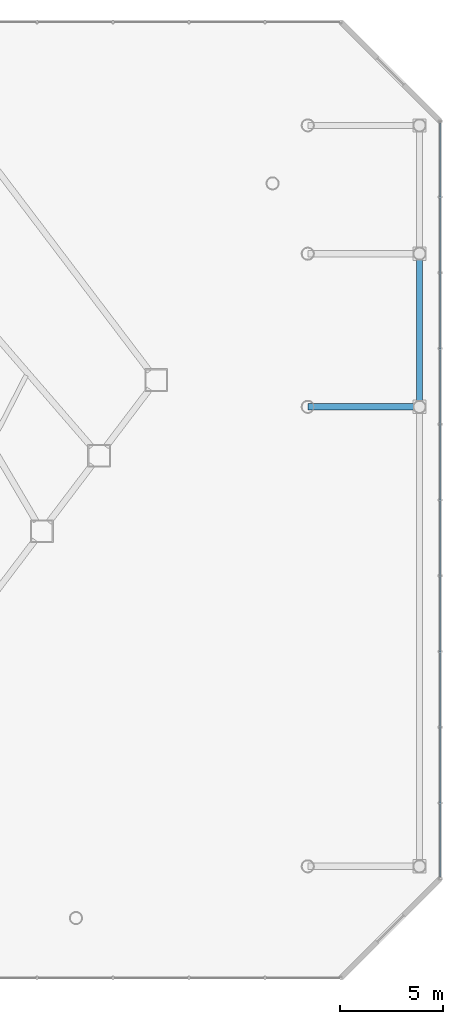
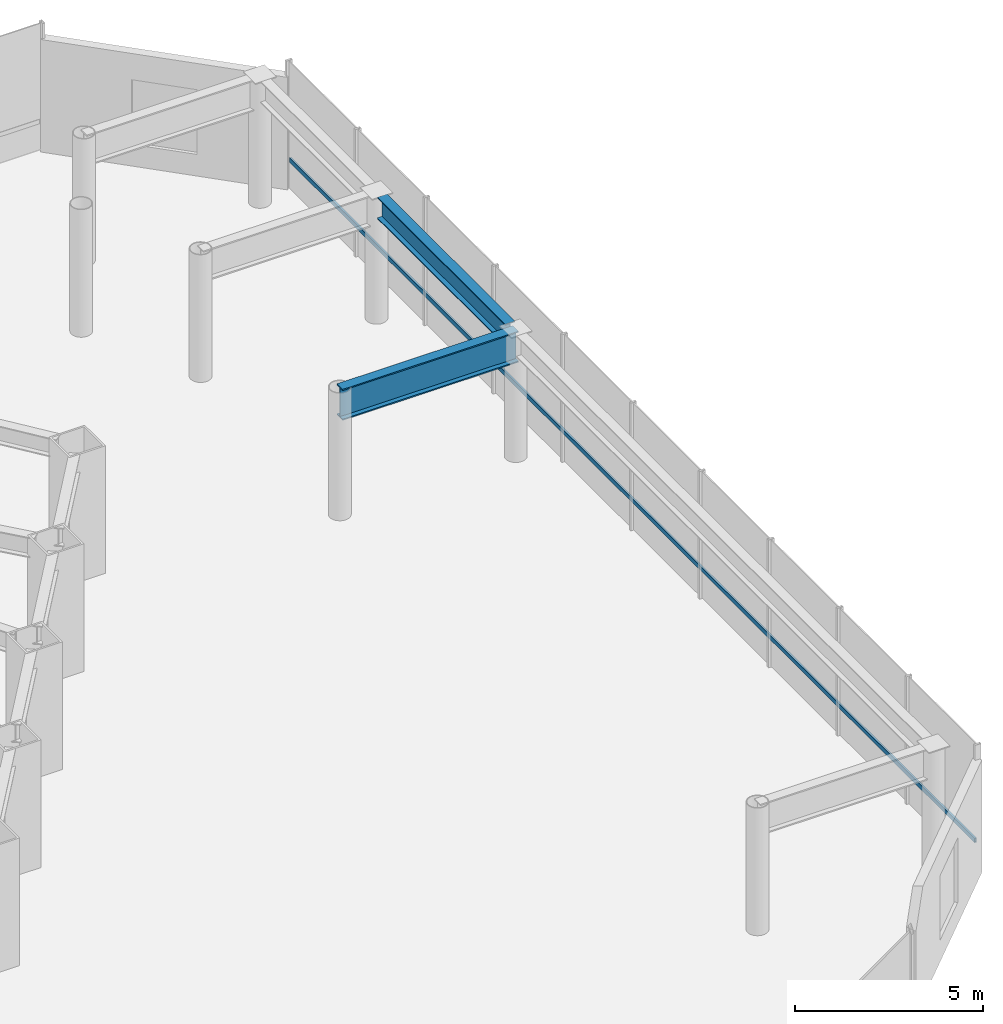
# One storey, part 29 of 37: 2 beams, 1 member, 1 element without a shape of its own.
"""IFC4 building model written with IfcOpenShell, lengths in metres."""

from ifc_helpers import new_model, si_unit, direction, frame, origin, origin_2d, place, context, subcontext, project, spatial, hollow_rectangle, i_section, extrude, material, layer, layer_set, material_profile, profile_set, type_object, element, aggregate, save


model = new_model("IFC4")

# Units and contexts
model_context = context("Model", 3, precision=1e-05, world=origin(), true_north=direction((0.0, 1.0)))
body_context = subcontext(model_context, "Body", "Model", "MODEL_VIEW")
ifc_project = project(units=[si_unit("LENGTHUNIT", "METRE"), si_unit("AREAUNIT", "SQUARE_METRE"), si_unit("VOLUMEUNIT", "CUBIC_METRE"), si_unit("PLANEANGLEUNIT", "RADIAN"), si_unit("MASSUNIT", "GRAM", prefix="KILO")], contexts=[model_context])

# Site, building, storey
site_placement = place(None, origin())
site = spatial("IfcSite", under=ifc_project, at=site_placement, CompositionType="ELEMENT")
building_placement = place(site_placement, origin())
building = spatial("IfcBuilding", under=site, at=building_placement, Name="Zarrinselat Tower", CompositionType="ELEMENT")
storey_placement = place(building_placement, frame((0.0, 0.0, 13.93994140625)))
storey = spatial("IfcBuildingStorey", under=building, at=storey_placement, Name="L03", CompositionType="ELEMENT", Elevation=13.93994140625)

# Beams
ifc_material_1 = material(Name="Steel S355J2", Category="steel")
ifc_material_profile_1 = material_profile(ifc_material_1, i_section(OverallWidth=0.300048828125, OverallDepth=0.699951171875, WebThickness=0.01708984375, FlangeThickness=0.031982421875, at=origin_2d()), Name="HEB 700")
ifc_profile_set_1 = profile_set([ifc_material_profile_1], Name="Steel S355J2")
beam_type_1 = type_object("IfcBeamType", Name="BM-HEB700", PredefinedType="SPANDREL", material=ifc_profile_set_1)
beam_1_placement = place(storey_placement, frame((73.39990234375, 33.5, 3.7900390625), z_axis=(0.0, 1.0, 0.0), x_axis=(-1.0, 0.0, 0.0)))
element("IfcBeam", 1, at=beam_1_placement, inside=storey, type_object=beam_type_1, Name="L03 Podium Perimeter Beam E-33", PredefinedType="SPANDREL", context=body_context, shape_type="SweptSolid", body=[
    extrude(i_section(OverallWidth=0.300048828125, OverallDepth=0.699951171875, WebThickness=0.01708984375, FlangeThickness=0.031982421875, at=origin_2d()), origin(), (0.0, 0.0, 1.0), 6.800048828125),
])
ifc_material_2 = material(Name="Steel S460M", Category="steel")
ifc_material_profile_2 = material_profile(ifc_material_2, i_section(OverallWidth=0.302001953125, OverallDepth=1.008056640625, WebThickness=0.02099609375, FlangeThickness=0.0400390625, at=origin_2d()), Name="HEM 1000")
ifc_profile_set_2 = profile_set([ifc_material_profile_2], Name="Steel S460M")
beam_type_2 = type_object("IfcBeamType", Name="BM-PDTR-HEM1000", PredefinedType="BEAM", material=ifc_profile_set_2)
beam_2_placement = place(storey_placement, frame((68.0, 33.199951171875, 3.635986328125), z_axis=(1.0, 0.0, 0.0), x_axis=(0.0, 1.0, 0.0)))
element("IfcBeam", 2, at=beam_2_placement, inside=storey, type_object=beam_type_2, Name="L03 Podium Transfer Girder E-33", PredefinedType="BEAM", context=body_context, shape_type="SweptSolid", body=[
    extrude(i_section(OverallWidth=0.302001953125, OverallDepth=1.008056640625, WebThickness=0.02099609375, FlangeThickness=0.0400390625, at=origin_2d()), origin(), (0.0, 0.0, 1.0), 5.39990234375),
])

# Curtain wall, member
ifc_material_3 = material(Name="Extruded Aluminium Alloy EN AW-6063 T6", Category="aluminium")
ifc_layer = layer(ifc_material_3, 0.2099609375)
ifc_layer_set = layer_set([ifc_layer], Name="Extruded Aluminium Alloy EN AW-6063 T6")
curtain_wall_type = type_object("IfcCurtainWallType", Name="CWS-POD", PredefinedType="NOTDEFINED", material=ifc_layer_set)
curtain_wall_placement = place(storey_placement, origin())
curtain_wall = element("IfcCurtainWall", 3, at=curtain_wall_placement, inside=storey, type_object=curtain_wall_type, Name="L03 Unitised Curtain Wall CW-L03-F3", PredefinedType="NOTDEFINED")
ifc_material_4 = material(Name="Extruded Aluminium Alloy EN AW-6063 T6", Category="aluminium")
ifc_material_profile_3 = material_profile(ifc_material_4, hollow_rectangle(XDim=0.06005859375, YDim=0.139892578125, WallThickness=0.00390625, at=origin_2d()), Name="RHS 140x60x4")
ifc_profile_set_3 = profile_set([ifc_material_profile_3], Name="Extruded Aluminium Alloy EN AW-6063 T6")
member_type = type_object("IfcMemberType", Name="MEM-CW-TRN", PredefinedType="USERDEFINED", material=ifc_profile_set_3)
member_placement = place(storey_placement, frame((74.39990234375, 10.489990234375, 0.949951171875), z_axis=(0.0, 1.0, 0.0), x_axis=(-1.0, 0.0, 0.0)))
member = element("IfcMember", 4, at=member_placement, type_object=member_type, Name="CW-L03-F3 Transom 1", ObjectType="TRANSOM", PredefinedType="USERDEFINED", context=body_context, shape_type="SweptSolid", body=[
    extrude(hollow_rectangle(XDim=0.06005859375, YDim=0.139892578125, WallThickness=0.00390625, at=origin_2d()), origin(), (0.0, 0.0, 1.0), 36.419921875),
])
aggregate(curtain_wall, [member])

save(model, "model.ifc")
